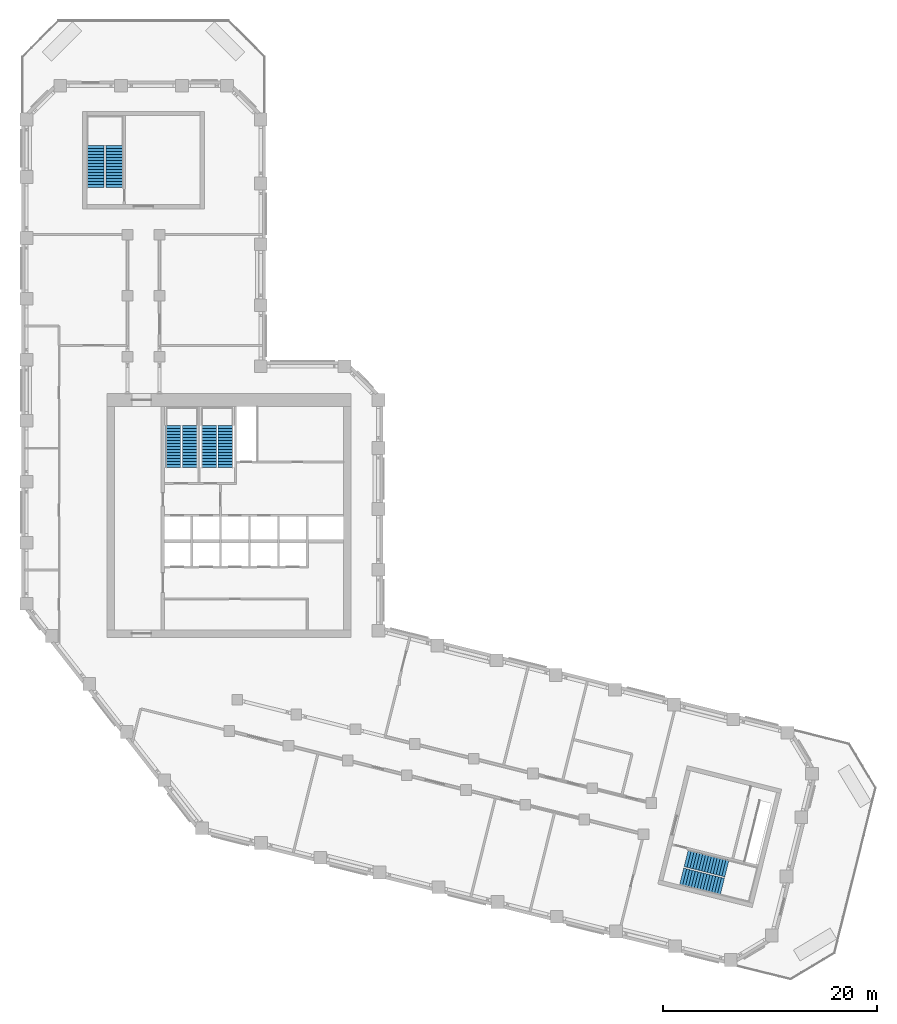
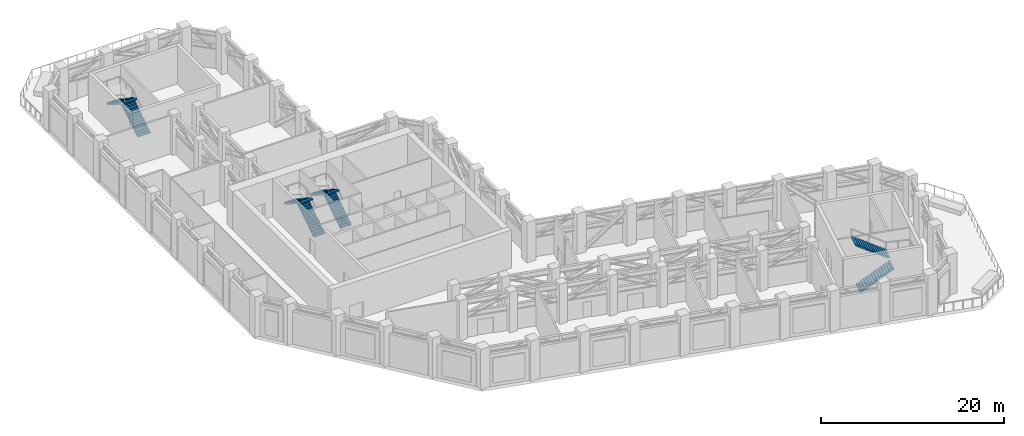
# One storey, part 12 of 14: 8 stair flights, 4 elements without a shape of their own.
"""IFC4 building model written with IfcOpenShell, lengths in metres."""

from ifc_helpers import new_model, si_unit, direction, frame, origin, place, context, subcontext, project, spatial, polyline, outline, extrude, material, type_object, element, aggregate, save


model = new_model("IFC4")

# Units and contexts
model_context = context("Model", 3, precision=1e-05, world=origin(), true_north=direction((0.0, 1.0)))
body_context = subcontext(model_context, "Body", "Model", "MODEL_VIEW")
ifc_project = project(units=[si_unit("LENGTHUNIT", "METRE"), si_unit("AREAUNIT", "SQUARE_METRE"), si_unit("VOLUMEUNIT", "CUBIC_METRE"), si_unit("PLANEANGLEUNIT", "RADIAN"), si_unit("MASSUNIT", "GRAM", prefix="KILO")], contexts=[model_context])

# Site, building, storey
site_placement = place(None, origin())
site = spatial("IfcSite", under=ifc_project, at=site_placement, CompositionType="ELEMENT")
building_placement = place(site_placement, origin())
building = spatial("IfcBuilding", under=site, at=building_placement, Name="Meshkara Civic Tower", CompositionType="ELEMENT")
storey_placement = place(building_placement, frame((0.0, 0.0, 220.199951171875)))
storey = spatial("IfcBuildingStorey", under=building, at=storey_placement, Name="L50", CompositionType="ELEMENT", Elevation=220.199951171875)

# Stair, stair flights
ifc_material_1 = material(Name="Precast concrete C40/50", Category="concrete")
stair_type_1 = type_object("IfcStairType", Name="Exit stair half-turn 30 risers 1600 precast", PredefinedType="HALF_TURN_STAIR", material=ifc_material_1)
stair_1_placement = place(storey_placement, origin())
stair_1 = element("IfcStair", 1, at=stair_1_placement, inside=storey, type_object=stair_type_1, Name="L50 exit stair A from L50", PredefinedType="HALF_TURN_STAIR")
ifc_material_2 = material(Name="Precast concrete C40/50", Category="concrete")
stair_flight_type_1 = type_object("IfcStairFlightType", Name="Exit stair flight 15 risers 1600 precast", PredefinedType="STRAIGHT", material=ifc_material_2)
stair_flight_1_placement = place(storey_placement, frame((8.675048828125, 56.169921875, 0.0), z_axis=(0.0, 0.0, 1.0), x_axis=(0.0, 1.0, 0.0)))
stair_flight_1 = element("IfcStairFlight", 2, at=stair_flight_1_placement, type_object=stair_flight_type_1, Name="ESA4 flight 1", NumberOfRisers=15, NumberOfTreads=14, PredefinedType="STRAIGHT", RiserHeight=0.18, TreadLength=0.28, context=body_context, shape_type="SweptSolid", body=[
    extrude(outline(polyline([(0.0, 0.0), (0.0, 0.179931640625), (0.280029296875, 0.179931640625), (0.280029296875, 0.360107421875), (0.56005859375, 0.360107421875), (0.56005859375, 0.5400390625), (0.840087890625, 0.5400390625), (0.840087890625, 0.719970703125), (1.1201171875, 0.719970703125), (1.1201171875, 0.89990234375), (1.39990234375, 0.89990234375), (1.39990234375, 1.080078125), (1.679931640625, 1.080078125), (1.679931640625, 1.260009765625), (1.9599609375, 1.260009765625), (1.9599609375, 1.43994140625), (2.239990234375, 1.43994140625), (2.239990234375, 1.6201171875), (2.52001953125, 1.6201171875), (2.52001953125, 1.800048828125), (2.800048828125, 1.800048828125), (2.800048828125, 1.97998046875), (3.080078125, 1.97998046875), (3.080078125, 2.159912109375), (3.360107421875, 2.159912109375), (3.360107421875, 2.340087890625), (3.639892578125, 2.340087890625), (3.639892578125, 2.52001953125), (3.919921875, 2.52001953125), (3.919921875, 2.699951171875), (3.919921875, 2.341796875), (0.277099609375, 0.0), (0.0, 0.0)])), frame((0.0, 0.800048828125, 0.0), z_axis=(0.0, -1.0, 0.0), x_axis=(1.0, 0.0, 0.0)), (0.0, 0.0, 1.0), 1.60009765625),
])
stair_flight_2_placement = place(storey_placement, frame((6.925048828125, 60.090087890625, 2.699951171875), z_axis=(0.0, 0.0, 1.0), x_axis=(0.0, -1.0, 0.0)))
stair_flight_2 = element("IfcStairFlight", 3, at=stair_flight_2_placement, type_object=stair_flight_type_1, Name="ESA4 flight 2", NumberOfRisers=15, NumberOfTreads=14, PredefinedType="STRAIGHT", RiserHeight=0.18, TreadLength=0.28, context=body_context, shape_type="SweptSolid", body=[
    extrude(outline(polyline([(0.0, 0.0), (0.0, 0.179931640625), (0.280029296875, 0.179931640625), (0.280029296875, 0.360107421875), (0.56005859375, 0.360107421875), (0.56005859375, 0.5400390625), (0.840087890625, 0.5400390625), (0.840087890625, 0.719970703125), (1.1201171875, 0.719970703125), (1.1201171875, 0.89990234375), (1.39990234375, 0.89990234375), (1.39990234375, 1.080078125), (1.679931640625, 1.080078125), (1.679931640625, 1.260009765625), (1.9599609375, 1.260009765625), (1.9599609375, 1.43994140625), (2.239990234375, 1.43994140625), (2.239990234375, 1.6201171875), (2.52001953125, 1.6201171875), (2.52001953125, 1.800048828125), (2.800048828125, 1.800048828125), (2.800048828125, 1.97998046875), (3.080078125, 1.97998046875), (3.080078125, 2.159912109375), (3.360107421875, 2.159912109375), (3.360107421875, 2.340087890625), (3.639892578125, 2.340087890625), (3.639892578125, 2.52001953125), (3.919921875, 2.52001953125), (3.919921875, 2.699951171875), (3.919921875, 2.341796875), (0.277099609375, 0.0), (0.0, 0.0)])), frame((0.0, 0.800048828125, 0.0), z_axis=(0.0, -1.0, 0.0), x_axis=(1.0, 0.0, 0.0)), (0.0, 0.0, 1.0), 1.60009765625),
])
aggregate(stair_1, [stair_flight_1, stair_flight_2])

stair_2_placement = place(storey_placement, origin())
stair_2 = element("IfcStair", 4, at=stair_2_placement, inside=storey, type_object=stair_type_1, Name="L50 exit stair B from L50", PredefinedType="HALF_TURN_STAIR")
stair_flight_3_placement = place(storey_placement, frame((61.70751953125, -8.248291015625, 0.0), z_axis=(0.0, 0.0, 1.0), x_axis=(0.970260066579, -0.242064873955, 0.0)))
stair_flight_3 = element("IfcStairFlight", 5, at=stair_flight_3_placement, type_object=stair_flight_type_1, Name="ESB4 flight 1", NumberOfRisers=15, NumberOfTreads=14, PredefinedType="STRAIGHT", RiserHeight=0.18, TreadLength=0.28, context=body_context, shape_type="SweptSolid", body=[
    extrude(outline(polyline([(0.0, 0.0), (0.0, 0.179931640625), (0.280029296875, 0.179931640625), (0.280029296875, 0.360107421875), (0.56005859375, 0.360107421875), (0.56005859375, 0.5400390625), (0.840087890625, 0.5400390625), (0.840087890625, 0.719970703125), (1.1201171875, 0.719970703125), (1.1201171875, 0.89990234375), (1.39990234375, 0.89990234375), (1.39990234375, 1.080078125), (1.679931640625, 1.080078125), (1.679931640625, 1.260009765625), (1.9599609375, 1.260009765625), (1.9599609375, 1.43994140625), (2.239990234375, 1.43994140625), (2.239990234375, 1.6201171875), (2.52001953125, 1.6201171875), (2.52001953125, 1.800048828125), (2.800048828125, 1.800048828125), (2.800048828125, 1.97998046875), (3.080078125, 1.97998046875), (3.080078125, 2.159912109375), (3.360107421875, 2.159912109375), (3.360107421875, 2.340087890625), (3.639892578125, 2.340087890625), (3.639892578125, 2.52001953125), (3.919921875, 2.52001953125), (3.919921875, 2.699951171875), (3.919921875, 2.341796875), (0.277099609375, 0.0), (0.0, 0.0)])), frame((0.0, 0.800048828125, 0.0), z_axis=(0.0, -1.0, 0.0), x_axis=(1.0, 0.0, 0.0)), (0.0, 0.0, 1.0), 1.60009765625),
])
stair_flight_4_placement = place(storey_placement, frame((65.9345703125, -7.499267578125, 2.699951171875), z_axis=(0.0, 0.0, 1.0), x_axis=(-0.970260066579, 0.242064873955, 0.0)))
stair_flight_4 = element("IfcStairFlight", 6, at=stair_flight_4_placement, type_object=stair_flight_type_1, Name="ESB4 flight 2", NumberOfRisers=15, NumberOfTreads=14, PredefinedType="STRAIGHT", RiserHeight=0.18, TreadLength=0.28, context=body_context, shape_type="SweptSolid", body=[
    extrude(outline(polyline([(0.0, 0.0), (0.0, 0.179931640625), (0.280029296875, 0.179931640625), (0.280029296875, 0.360107421875), (0.56005859375, 0.360107421875), (0.56005859375, 0.5400390625), (0.840087890625, 0.5400390625), (0.840087890625, 0.719970703125), (1.1201171875, 0.719970703125), (1.1201171875, 0.89990234375), (1.39990234375, 0.89990234375), (1.39990234375, 1.080078125), (1.679931640625, 1.080078125), (1.679931640625, 1.260009765625), (1.9599609375, 1.260009765625), (1.9599609375, 1.43994140625), (2.239990234375, 1.43994140625), (2.239990234375, 1.6201171875), (2.52001953125, 1.6201171875), (2.52001953125, 1.800048828125), (2.800048828125, 1.800048828125), (2.800048828125, 1.97998046875), (3.080078125, 1.97998046875), (3.080078125, 2.159912109375), (3.360107421875, 2.159912109375), (3.360107421875, 2.340087890625), (3.639892578125, 2.340087890625), (3.639892578125, 2.52001953125), (3.919921875, 2.52001953125), (3.919921875, 2.699951171875), (3.919921875, 2.341796875), (0.277099609375, 0.0), (0.0, 0.0)])), frame((0.0, 0.800048828125, 0.0), z_axis=(0.0, -1.0, 0.0), x_axis=(1.0, 0.0, 0.0)), (0.0, 0.0, 1.0), 1.60009765625),
])
aggregate(stair_2, [stair_flight_3, stair_flight_4])

ifc_material_3 = material(Name="Precast concrete C40/50", Category="concrete")
stair_type_2 = type_object("IfcStairType", Name="Exit stair half-turn 30 risers precast", PredefinedType="HALF_TURN_STAIR", material=ifc_material_3)
stair_3_placement = place(storey_placement, origin())
stair_3 = element("IfcStair", 7, at=stair_3_placement, inside=storey, type_object=stair_type_2, Name="L50 exit stair 1", PredefinedType="HALF_TURN_STAIR")
ifc_material_4 = material(Name="Precast concrete C40/50", Category="concrete")
stair_flight_type_2 = type_object("IfcStairFlightType", Name="Exit stair flight 15 risers precast", PredefinedType="STRAIGHT", material=ifc_material_4)
stair_flight_5_placement = place(storey_placement, frame((15.72509765625, 30.0, 0.0), z_axis=(0.0, 0.0, 1.0), x_axis=(0.0, 1.0, 0.0)))
stair_flight_5 = element("IfcStairFlight", 8, at=stair_flight_5_placement, type_object=stair_flight_type_2, Name="ST1 flight 1", NumberOfRisers=15, NumberOfTreads=14, PredefinedType="STRAIGHT", RiserHeight=0.18, TreadLength=0.28, context=body_context, shape_type="SweptSolid", body=[
    extrude(outline(polyline([(0.0, 0.0), (0.0, 0.179931640625), (0.280029296875, 0.179931640625), (0.280029296875, 0.360107421875), (0.56005859375, 0.360107421875), (0.56005859375, 0.5400390625), (0.840087890625, 0.5400390625), (0.840087890625, 0.719970703125), (1.1201171875, 0.719970703125), (1.1201171875, 0.89990234375), (1.39990234375, 0.89990234375), (1.39990234375, 1.080078125), (1.679931640625, 1.080078125), (1.679931640625, 1.260009765625), (1.9599609375, 1.260009765625), (1.9599609375, 1.43994140625), (2.239990234375, 1.43994140625), (2.239990234375, 1.6201171875), (2.52001953125, 1.6201171875), (2.52001953125, 1.800048828125), (2.800048828125, 1.800048828125), (2.800048828125, 1.97998046875), (3.080078125, 1.97998046875), (3.080078125, 2.159912109375), (3.360107421875, 2.159912109375), (3.360107421875, 2.340087890625), (3.639892578125, 2.340087890625), (3.639892578125, 2.52001953125), (3.919921875, 2.52001953125), (3.919921875, 2.699951171875), (3.919921875, 2.341796875), (0.277099609375, 0.0), (0.0, 0.0)])), frame((0.0, 0.699951171875, 0.0), z_axis=(0.0, -1.0, 0.0), x_axis=(1.0, 0.0, 0.0)), (0.0, 0.0, 1.0), 1.39990234375),
])
stair_flight_6_placement = place(storey_placement, frame((14.175048828125, 33.919921875, 2.699951171875), z_axis=(0.0, 0.0, 1.0), x_axis=(0.0, -1.0, 0.0)))
stair_flight_6 = element("IfcStairFlight", 9, at=stair_flight_6_placement, type_object=stair_flight_type_2, Name="ST1 flight 2", NumberOfRisers=15, NumberOfTreads=14, PredefinedType="STRAIGHT", RiserHeight=0.18, TreadLength=0.28, context=body_context, shape_type="SweptSolid", body=[
    extrude(outline(polyline([(0.0, 0.0), (0.0, 0.179931640625), (0.280029296875, 0.179931640625), (0.280029296875, 0.360107421875), (0.56005859375, 0.360107421875), (0.56005859375, 0.5400390625), (0.840087890625, 0.5400390625), (0.840087890625, 0.719970703125), (1.1201171875, 0.719970703125), (1.1201171875, 0.89990234375), (1.39990234375, 0.89990234375), (1.39990234375, 1.080078125), (1.679931640625, 1.080078125), (1.679931640625, 1.260009765625), (1.9599609375, 1.260009765625), (1.9599609375, 1.43994140625), (2.239990234375, 1.43994140625), (2.239990234375, 1.6201171875), (2.52001953125, 1.6201171875), (2.52001953125, 1.800048828125), (2.800048828125, 1.800048828125), (2.800048828125, 1.97998046875), (3.080078125, 1.97998046875), (3.080078125, 2.159912109375), (3.360107421875, 2.159912109375), (3.360107421875, 2.340087890625), (3.639892578125, 2.340087890625), (3.639892578125, 2.52001953125), (3.919921875, 2.52001953125), (3.919921875, 2.699951171875), (3.919921875, 2.341796875), (0.277099609375, 0.0), (0.0, 0.0)])), frame((0.0, 0.699951171875, 0.0), z_axis=(0.0, -1.0, 0.0), x_axis=(1.0, 0.0, 0.0)), (0.0, 0.0, 1.0), 1.39990234375),
])
aggregate(stair_3, [stair_flight_5, stair_flight_6])

stair_4_placement = place(storey_placement, origin())
stair_4 = element("IfcStair", 10, at=stair_4_placement, inside=storey, type_object=stair_type_2, Name="L50 exit stair 2", PredefinedType="HALF_TURN_STAIR")
stair_flight_7_placement = place(storey_placement, frame((19.074951171875, 30.0, 0.0), z_axis=(0.0, 0.0, 1.0), x_axis=(0.0, 1.0, 0.0)))
stair_flight_7 = element("IfcStairFlight", 11, at=stair_flight_7_placement, type_object=stair_flight_type_2, Name="ST2 flight 1", NumberOfRisers=15, NumberOfTreads=14, PredefinedType="STRAIGHT", RiserHeight=0.18, TreadLength=0.28, context=body_context, shape_type="SweptSolid", body=[
    extrude(outline(polyline([(0.0, 0.0), (0.0, 0.179931640625), (0.280029296875, 0.179931640625), (0.280029296875, 0.360107421875), (0.56005859375, 0.360107421875), (0.56005859375, 0.5400390625), (0.840087890625, 0.5400390625), (0.840087890625, 0.719970703125), (1.1201171875, 0.719970703125), (1.1201171875, 0.89990234375), (1.39990234375, 0.89990234375), (1.39990234375, 1.080078125), (1.679931640625, 1.080078125), (1.679931640625, 1.260009765625), (1.9599609375, 1.260009765625), (1.9599609375, 1.43994140625), (2.239990234375, 1.43994140625), (2.239990234375, 1.6201171875), (2.52001953125, 1.6201171875), (2.52001953125, 1.800048828125), (2.800048828125, 1.800048828125), (2.800048828125, 1.97998046875), (3.080078125, 1.97998046875), (3.080078125, 2.159912109375), (3.360107421875, 2.159912109375), (3.360107421875, 2.340087890625), (3.639892578125, 2.340087890625), (3.639892578125, 2.52001953125), (3.919921875, 2.52001953125), (3.919921875, 2.699951171875), (3.919921875, 2.341796875), (0.277099609375, 0.0), (0.0, 0.0)])), frame((0.0, 0.699951171875, 0.0), z_axis=(0.0, -1.0, 0.0), x_axis=(1.0, 0.0, 0.0)), (0.0, 0.0, 1.0), 1.39990234375),
])
stair_flight_8_placement = place(storey_placement, frame((17.52490234375, 33.919921875, 2.699951171875), z_axis=(0.0, 0.0, 1.0), x_axis=(0.0, -1.0, 0.0)))
stair_flight_8 = element("IfcStairFlight", 12, at=stair_flight_8_placement, type_object=stair_flight_type_2, Name="ST2 flight 2", NumberOfRisers=15, NumberOfTreads=14, PredefinedType="STRAIGHT", RiserHeight=0.18, TreadLength=0.28, context=body_context, shape_type="SweptSolid", body=[
    extrude(outline(polyline([(0.0, 0.0), (0.0, 0.179931640625), (0.280029296875, 0.179931640625), (0.280029296875, 0.360107421875), (0.56005859375, 0.360107421875), (0.56005859375, 0.5400390625), (0.840087890625, 0.5400390625), (0.840087890625, 0.719970703125), (1.1201171875, 0.719970703125), (1.1201171875, 0.89990234375), (1.39990234375, 0.89990234375), (1.39990234375, 1.080078125), (1.679931640625, 1.080078125), (1.679931640625, 1.260009765625), (1.9599609375, 1.260009765625), (1.9599609375, 1.43994140625), (2.239990234375, 1.43994140625), (2.239990234375, 1.6201171875), (2.52001953125, 1.6201171875), (2.52001953125, 1.800048828125), (2.800048828125, 1.800048828125), (2.800048828125, 1.97998046875), (3.080078125, 1.97998046875), (3.080078125, 2.159912109375), (3.360107421875, 2.159912109375), (3.360107421875, 2.340087890625), (3.639892578125, 2.340087890625), (3.639892578125, 2.52001953125), (3.919921875, 2.52001953125), (3.919921875, 2.699951171875), (3.919921875, 2.341796875), (0.277099609375, 0.0), (0.0, 0.0)])), frame((0.0, 0.699951171875, 0.0), z_axis=(0.0, -1.0, 0.0), x_axis=(1.0, 0.0, 0.0)), (0.0, 0.0, 1.0), 1.39990234375),
])
aggregate(stair_4, [stair_flight_7, stair_flight_8])

save(model, "model.ifc")
